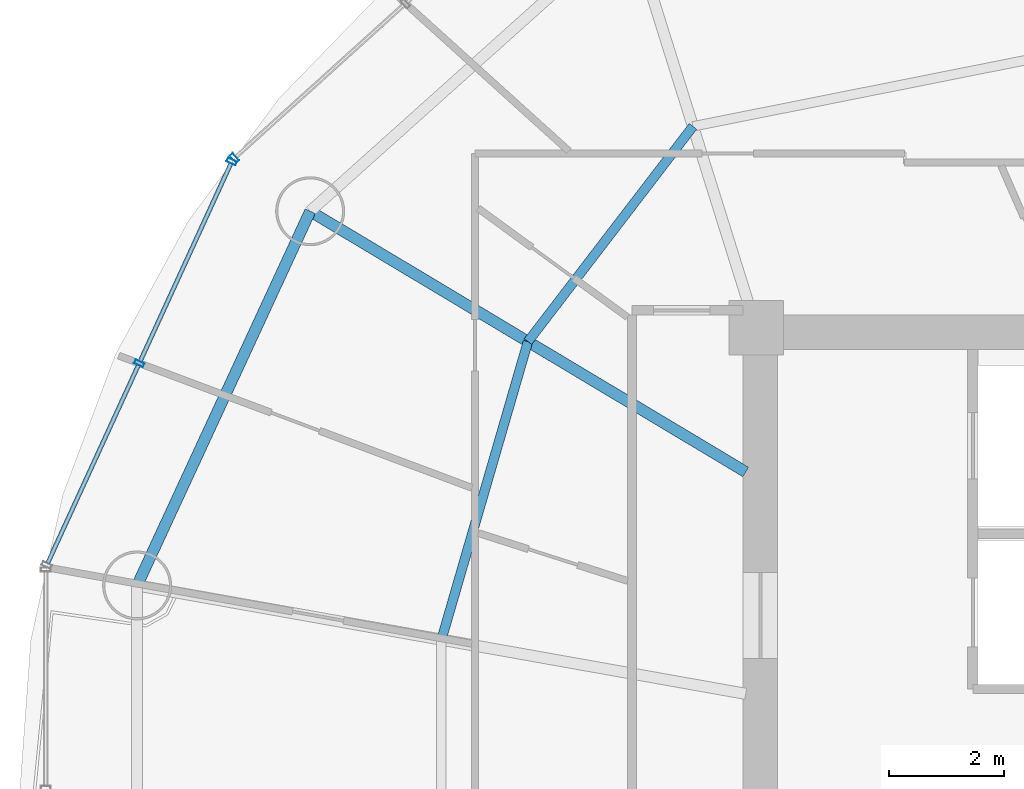
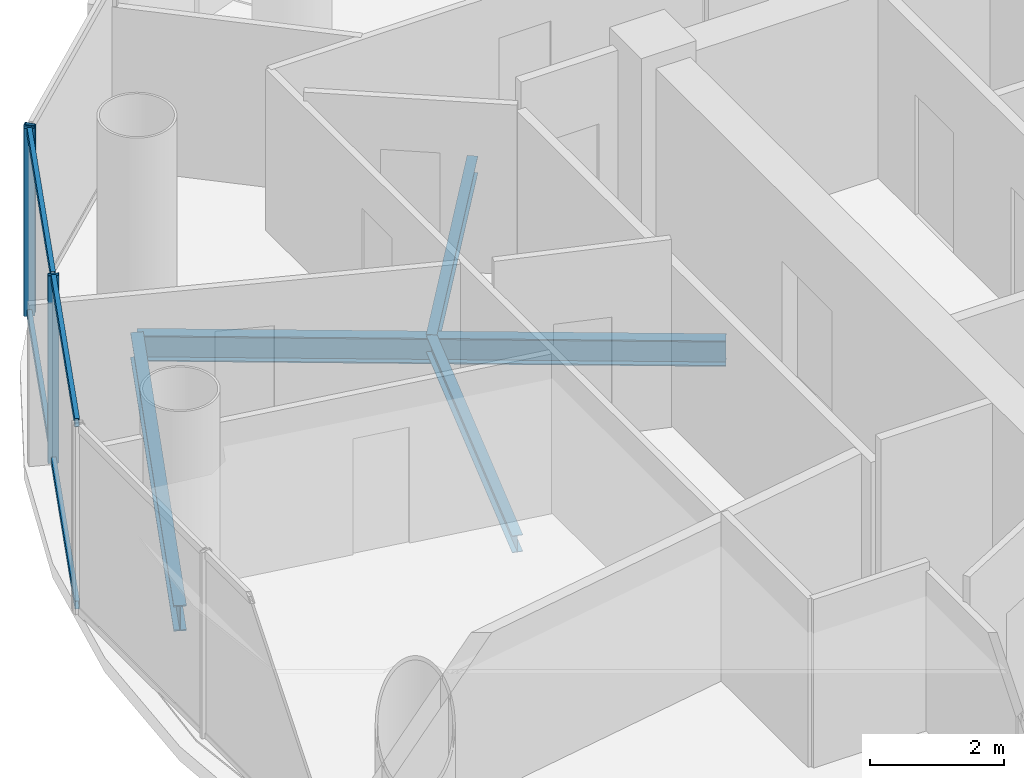
# One storey, part 8 of 27: 7 members, 4 beams, 2 elements without a shape of their own.
"""IFC4 building model written with IfcOpenShell, lengths in metres."""

from ifc_helpers import new_model, si_unit, direction, frame, origin, origin_2d, place, context, subcontext, project, spatial, hollow_rectangle, i_section, extrude, source, transform, mapped, material, material_profile, profile_set, type_object, element, aggregate, save


model = new_model("IFC4")

# Units and contexts
model_context = context("Model", 3, precision=1e-05, world=origin(), true_north=direction((-0.2419218956, 0.970295726276)))
body_context = subcontext(model_context, "Body", "Model", "MODEL_VIEW")
ifc_project = project(units=[si_unit("LENGTHUNIT", "METRE"), si_unit("AREAUNIT", "SQUARE_METRE"), si_unit("VOLUMEUNIT", "CUBIC_METRE"), si_unit("PLANEANGLEUNIT", "RADIAN"), si_unit("MASSUNIT", "GRAM", prefix="KILO")], contexts=[model_context])

# Site, building, storey
site_placement = place(None, origin())
site = spatial("IfcSite", under=ifc_project, at=site_placement, CompositionType="ELEMENT")
building_placement = place(site_placement, origin())
building = spatial("IfcBuilding", under=site, at=building_placement, Name="Cobrevalo Terracotta Tower", CompositionType="ELEMENT")
storey_placement = place(building_placement, frame((0.0, 0.0, 191.199951171875)))
storey = spatial("IfcBuildingStorey", under=building, at=storey_placement, Name="L50", CompositionType="ELEMENT", Elevation=191.199951171875)

# Beams
ifc_material_1 = material(Name="Steel S355", Category="steel")
ifc_material_profile_1 = material_profile(ifc_material_1, i_section(OverallWidth=0.194091796875, OverallDepth=0.468994140625, WebThickness=0.011474609375, FlangeThickness=0.0205078125, at=origin_2d()), Name="W 460x106")
ifc_profile_set_1 = profile_set([ifc_material_profile_1], Name="Steel S355")
beam_type_1 = type_object("IfcBeamType", Name="Structural Beam W 460x106 (Steel S355)", PredefinedType="BEAM", material=ifc_profile_set_1)
beam_1_placement = place(storey_placement, frame((21.245849609375, 36.828125, -0.49951171875), z_axis=(0.858046392192, -0.513572184651, 0.0), x_axis=(0.513572184651, 0.858046392192, 0.0)))
element("IfcBeam", 1, at=beam_1_placement, inside=storey, type_object=beam_type_1, Name="L50 radial floor girder 07", PredefinedType="BEAM", context=body_context, shape_type="SweptSolid", body=[
    extrude(i_section(OverallWidth=0.194091796875, OverallDepth=0.468994140625, WebThickness=0.011474609375, FlangeThickness=0.0205078125, at=origin_2d()), origin(), (0.0, 0.0, 1.0), 8.827392578125),
])
ifc_material_profile_2 = material_profile(ifc_material_1, i_section(OverallWidth=0.1650390625, OverallDepth=0.31005859375, WebThickness=0.005859375, FlangeThickness=0.009765625, at=origin_2d()), Name="W 310x38.7")
ifc_profile_set_2 = profile_set([ifc_material_profile_2], Name="Steel S355")
beam_type_2 = type_object("IfcBeamType", Name="Structural Joist W 310x38.7 (Steel S355)", PredefinedType="JOIST", material=ifc_profile_set_2)
beam_2_placement = place(storey_placement, frame((27.902587890625, 38.303955078125, -0.419921875), z_axis=(-0.608464146296, -0.793581364872, 0.0), x_axis=(0.793581364872, -0.608464146296, 0.0)))
element("IfcBeam", 2, at=beam_2_placement, inside=storey, type_object=beam_type_2, Name="L50 circumferential secondary floor joist 06", PredefinedType="JOIST", context=body_context, shape_type="SweptSolid", body=[
    extrude(i_section(OverallWidth=0.1650390625, OverallDepth=0.31005859375, WebThickness=0.005859375, FlangeThickness=0.009765625, at=origin_2d()), origin(), (0.0, 0.0, 1.0), 4.716064453125),
])
beam_3_placement = place(storey_placement, frame((25.032958984375, 34.561279296875, -0.419921875), z_axis=(-0.278769817131, -0.960357948401, 0.0), x_axis=(0.960357948401, -0.278769817131, 0.0)))
element("IfcBeam", 3, at=beam_3_placement, inside=storey, type_object=beam_type_2, Name="L50 circumferential secondary floor joist 07", PredefinedType="JOIST", context=body_context, shape_type="SweptSolid", body=[
    extrude(i_section(OverallWidth=0.1650390625, OverallDepth=0.31005859375, WebThickness=0.005859375, FlangeThickness=0.009765625, at=origin_2d()), origin(), (0.0, 0.0, 1.0), 5.396484375),
])
ifc_material_profile_3 = material_profile(ifc_material_1, i_section(OverallWidth=0.194091796875, OverallDepth=0.468994140625, WebThickness=0.011474609375, FlangeThickness=0.0205078125, at=origin_2d()), Name="W 460x106")
ifc_profile_set_3 = profile_set([ifc_material_profile_3], Name="Steel S355")
beam_type_3 = type_object("IfcBeamType", Name="Structural Spandrel W 460x106 (Steel S355)", PredefinedType="SPANDREL", material=ifc_profile_set_3)
beam_4_placement = place(storey_placement, frame((21.245849609375, 36.828125, -0.49951171875), z_axis=(-0.419705965131, -0.907660125176, 0.0), x_axis=(0.907660125176, -0.419705965131, 0.0)))
element("IfcBeam", 4, at=beam_4_placement, inside=storey, type_object=beam_type_3, Name="L50 perimeter ring spandrel 07", PredefinedType="SPANDREL", context=body_context, shape_type="SweptSolid", body=[
    extrude(i_section(OverallWidth=0.194091796875, OverallDepth=0.468994140625, WebThickness=0.011474609375, FlangeThickness=0.0205078125, at=origin_2d()), origin(), (0.0, 0.0, 1.0), 7.168701171875),
])

# Curtain wall, members
ifc_material_2 = material(Name="Anodized aluminium", Category="aluminium")
curtain_wall_type = type_object("IfcCurtainWallType", Name="Mid-tower high-wind unitised curtain wall CW-U2", PredefinedType="NOTDEFINED", material=ifc_material_2)
curtain_wall_1_placement = place(storey_placement, origin())
curtain_wall_1 = element("IfcCurtainWall", 5, at=curtain_wall_1_placement, inside=storey, type_object=curtain_wall_type, Name="L50 curtain wall CW-L50-S07", PredefinedType="NOTDEFINED")
ifc_material_profile_4 = material_profile(ifc_material_2, hollow_rectangle(XDim=0.074951171875, YDim=0.14990234375, WallThickness=0.00439453125, at=origin_2d()), Name="CWT 75x150")
ifc_profile_set_4 = profile_set([ifc_material_profile_4], Name="Anodized aluminium")
member_type_1 = type_object("IfcMemberType", Name="Tower unitised aluminium transom 75x150", PredefinedType="USERDEFINED", material=ifc_profile_set_4)
shared_shape_1 = source(origin(), body_context, "Body", "SweptSolid", [
    extrude(hollow_rectangle(XDim=0.074951171875, YDim=0.14990234375, WallThickness=0.00439453125, at=origin_2d()), origin(), (0.0, 0.0, 1.0), 3.780029296875),
])
member_1_placement = place(storey_placement, frame((19.865478515625, 37.6552734375, 0.050048828125), z_axis=(-0.416705859352, -0.909041377926, 0.0), x_axis=(0.909041377926, -0.416705859352, 0.0)))
member_1 = element("IfcMember", 6, at=member_1_placement, type_object=member_type_1, Name="CW-L50-S07 transom B01-T1", ObjectType="TRANSOM", PredefinedType="USERDEFINED", context=body_context, shape_type="MappedRepresentation", body=[
    mapped(shared_shape_1, transform((0.0, 0.0, 0.0), scale=1.0)),
])
member_2_placement = place(storey_placement, frame((19.865478515625, 37.6552734375, 3.385009765625), z_axis=(-0.416705859352, -0.909041377926, 0.0), x_axis=(0.909041377926, -0.416705859352, 0.0)))
member_2 = element("IfcMember", 7, at=member_2_placement, type_object=member_type_1, Name="CW-L50-S07 transom B01-T2", ObjectType="TRANSOM", PredefinedType="USERDEFINED", context=body_context, shape_type="MappedRepresentation", body=[
    mapped(shared_shape_1, transform((0.0, 0.0, 0.0), scale=1.0)),
])
member_3_placement = place(storey_placement, frame((18.2568359375, 34.146484375, 0.050048828125), z_axis=(-0.416705859352, -0.909041377926, 0.0), x_axis=(0.909041377926, -0.416705859352, 0.0)))
member_3 = element("IfcMember", 8, at=member_3_placement, type_object=member_type_1, Name="CW-L50-S07 transom B02-T1", ObjectType="TRANSOM", PredefinedType="USERDEFINED", context=body_context, shape_type="MappedRepresentation", body=[
    mapped(shared_shape_1, transform((0.0, 0.0, 0.0), scale=1.0)),
])
member_4_placement = place(storey_placement, frame((18.2568359375, 34.146484375, 3.385009765625), z_axis=(-0.416705859352, -0.909041377926, 0.0), x_axis=(0.909041377926, -0.416705859352, 0.0)))
member_4 = element("IfcMember", 9, at=member_4_placement, type_object=member_type_1, Name="CW-L50-S07 transom B02-T2", ObjectType="TRANSOM", PredefinedType="USERDEFINED", context=body_context, shape_type="MappedRepresentation", body=[
    mapped(shared_shape_1, transform((0.0, 0.0, 0.0), scale=1.0)),
])

# Curtain wall, member
curtain_wall_2_placement = place(storey_placement, origin())
curtain_wall_2 = element("IfcCurtainWall", 10, at=curtain_wall_2_placement, inside=storey, type_object=curtain_wall_type, Name="L50 curtain wall CW-L50-S06", PredefinedType="NOTDEFINED")
ifc_material_profile_5 = material_profile(ifc_material_2, hollow_rectangle(XDim=0.070068359375, YDim=0.169921875, WallThickness=0.00439453125, at=origin_2d()), Name="CWM 70x170")
ifc_profile_set_5 = profile_set([ifc_material_profile_5], Name="Anodized aluminium")
member_type_2 = type_object("IfcMemberType", Name="Upper tower unitised mullion 70x170", PredefinedType="MULLION", material=ifc_profile_set_5)
shared_shape_2 = source(origin(), body_context, "Body", "SweptSolid", [
    extrude(hollow_rectangle(XDim=0.070068359375, YDim=0.169921875, WallThickness=0.00439453125, at=origin_2d()), origin(), (0.0, 0.0, 1.0), 3.43505859375),
])
member_5_placement = place(storey_placement, frame((19.928466796875, 37.7548828125, 0.0), z_axis=(0.0, 0.0, 1.0), x_axis=(-0.741987542015, -0.670413668935, 0.0)))
member_5 = element("IfcMember", 11, at=member_5_placement, type_object=member_type_2, Name="CW-L50-S06 vertical mullion 03", PredefinedType="MULLION", context=body_context, shape_type="MappedRepresentation", body=[
    mapped(shared_shape_2, transform((0.0, 0.0, 0.0), scale=1.0)),
])
aggregate(curtain_wall_2, [member_5])

# Member
member_6_placement = place(storey_placement, frame((19.88232421875, 37.691650390625, 0.0), z_axis=(0.0, 0.0, 1.0), x_axis=(-0.41672507912, -0.909032567311, 0.0)))
member_6 = element("IfcMember", 12, at=member_6_placement, type_object=member_type_2, Name="CW-L50-S07 vertical mullion 01", PredefinedType="MULLION", context=body_context, shape_type="MappedRepresentation", body=[
    mapped(shared_shape_2, transform((0.0, 0.0, 0.0), scale=1.0)),
])

member_7_placement = place(storey_placement, frame((18.273681640625, 34.182861328125, 0.0), z_axis=(0.0, 0.0, 1.0), x_axis=(-0.41672507912, -0.909032567311, 0.0)))
member_7 = element("IfcMember", 13, at=member_7_placement, type_object=member_type_2, Name="CW-L50-S07 vertical mullion 02", PredefinedType="MULLION", context=body_context, shape_type="MappedRepresentation", body=[
    mapped(shared_shape_2, transform((0.0, 0.0, 0.0), scale=1.0)),
])

aggregate(curtain_wall_1, [member_6, member_7, member_1, member_2, member_3, member_4])

save(model, "model.ifc")
